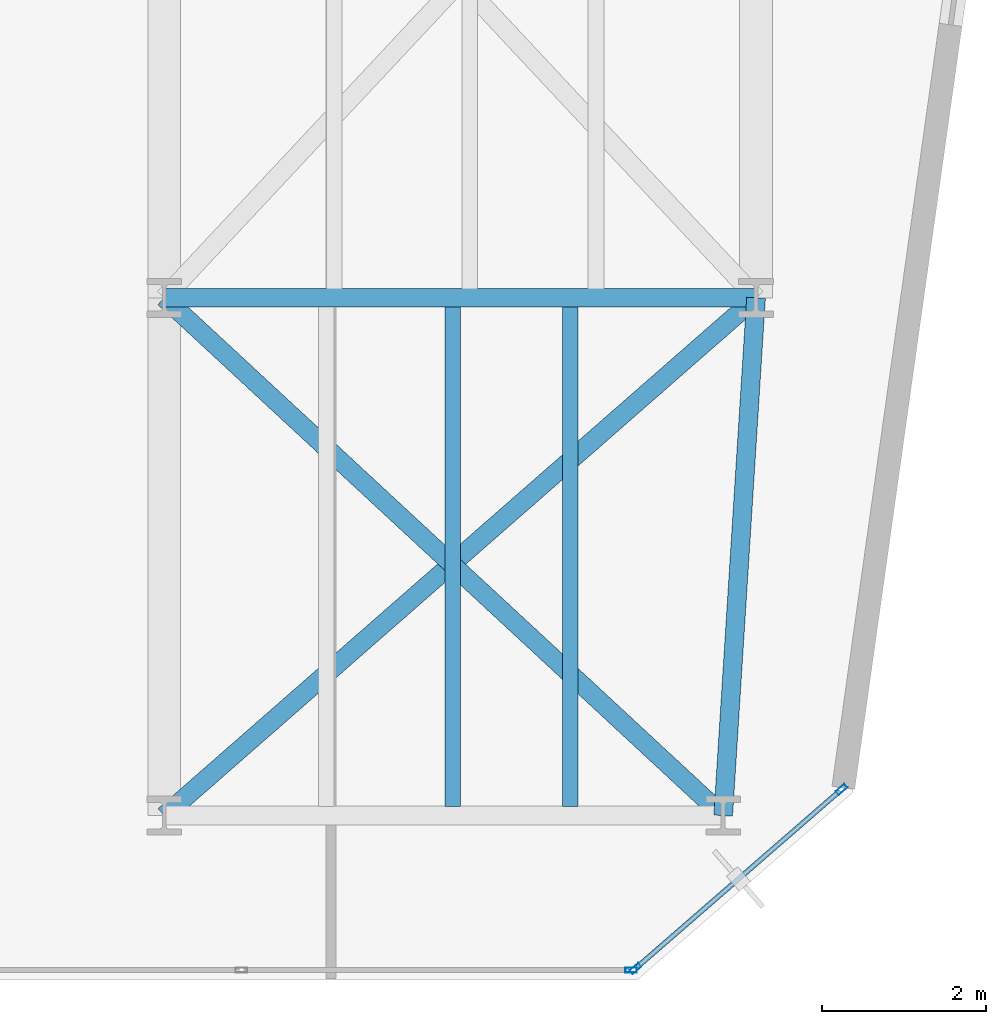
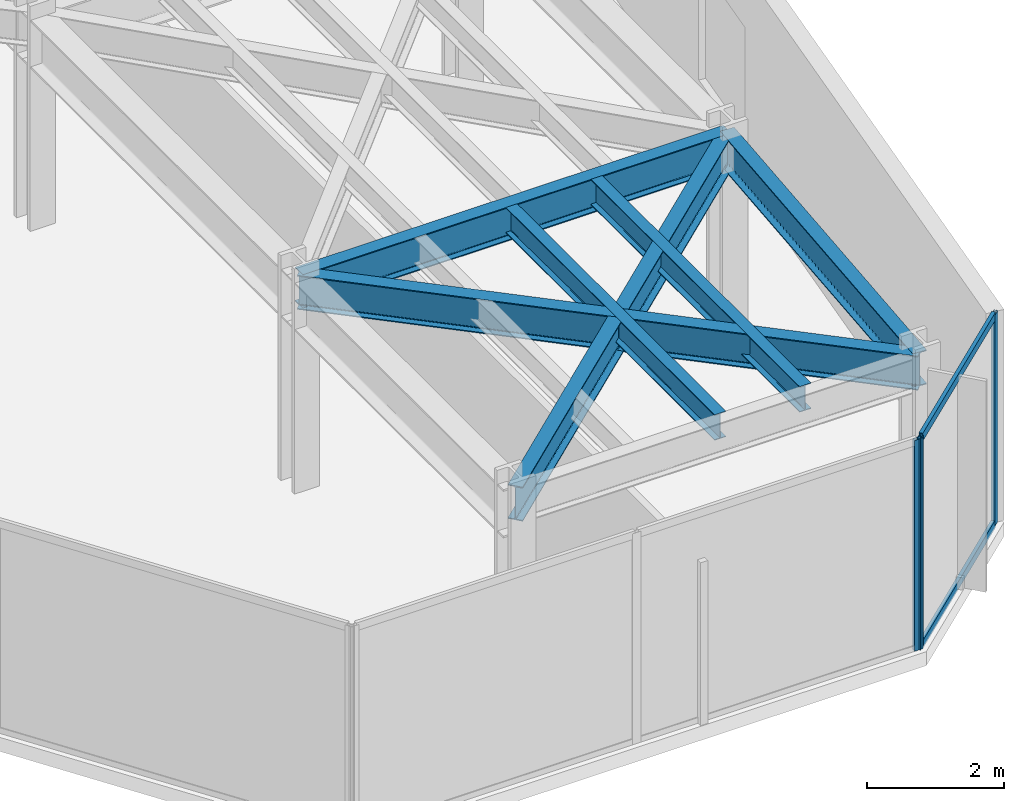
# One storey, part 19 of 26: 6 beams, 5 members, 2 elements without a shape of their own.
"""IFC4 building model written with IfcOpenShell, lengths in metres."""

from ifc_helpers import new_model, si_unit, direction, frame, origin, origin_2d, place, context, subcontext, project, spatial, hollow_rectangle, i_section, extrude, material, layer, layer_set, material_profile, profile_set, type_object, element, aggregate, save


model = new_model("IFC4")

# Units and contexts
model_context = context("Model", 3, precision=1e-05, world=origin(), true_north=direction((0.0, 1.0)))
body_context = subcontext(model_context, "Body", "Model", "MODEL_VIEW")
ifc_project = project(units=[si_unit("LENGTHUNIT", "METRE"), si_unit("AREAUNIT", "SQUARE_METRE"), si_unit("VOLUMEUNIT", "CUBIC_METRE"), si_unit("PLANEANGLEUNIT", "RADIAN"), si_unit("MASSUNIT", "GRAM", prefix="KILO")], contexts=[model_context])

# Site, building, storey
site_placement = place(None, origin())
site = spatial("IfcSite", under=ifc_project, at=site_placement, CompositionType="ELEMENT")
building_placement = place(site_placement, origin())
building = spatial("IfcBuilding", under=site, at=building_placement, Name="Kravanh Interchange Tower", CompositionType="ELEMENT")
storey_placement = place(building_placement, frame((0.0, 0.0, 100.0)))
storey = spatial("IfcBuildingStorey", under=building, at=storey_placement, Name="L23", CompositionType="ELEMENT", Elevation=100.0)

# Curtain wall, members
ifc_material_1 = material(Name="Anodised Bronze Aluminium", Category="aluminium")
ifc_layer = layer(ifc_material_1, 0.179931640625)
ifc_layer_set = layer_set([ifc_layer], Name="Unitised Curtain Wall System CW-Z2 Mid Office")
curtain_wall_type = type_object("IfcCurtainWallType", Name="Unitised Curtain Wall System CW-Z2 Mid Office", PredefinedType="NOTDEFINED", material=ifc_layer_set)
curtain_wall_1_placement = place(storey_placement, origin())
curtain_wall_1 = element("IfcCurtainWall", 1, at=curtain_wall_1_placement, inside=storey, type_object=curtain_wall_type, Name="L23 Unitised Curtain Wall CW-L23-02", PredefinedType="NOTDEFINED")
ifc_material_2 = material(Name="Anodised Bronze Aluminium", Category="aluminium")
ifc_material_profile_1 = material_profile(ifc_material_2, hollow_rectangle(XDim=0.06005859375, YDim=0.139892578125, WallThickness=0.00390625, at=origin_2d()), Name="ALU60X140X4")
ifc_profile_set_1 = profile_set([ifc_material_profile_1], Name="Anodised Bronze Aluminium")
member_type_1 = type_object("IfcMemberType", Name="Curtain Wall Mullion ALU60X140X4 Bronze", PredefinedType="MULLION", material=ifc_profile_set_1)
member_1_placement = place(storey_placement, frame((64.239990234375, 8.51904296875, 0.0), z_axis=(0.0, 0.0, 1.0), x_axis=(0.656047665617, -0.754719458103, 0.0)))
member_1 = element("IfcMember", 2, at=member_1_placement, type_object=member_type_1, Name="CW-Z2 mullion 1", PredefinedType="MULLION", context=body_context, shape_type="SweptSolid", body=[
    extrude(hollow_rectangle(XDim=0.06005859375, YDim=0.139892578125, WallThickness=0.00390625, at=origin_2d()), origin(), (0.0, 0.0, 1.0), 3.75),
])
member_2_placement = place(storey_placement, frame((61.73291015625, 6.339599609375, 0.0), z_axis=(0.0, 0.0, 1.0), x_axis=(0.656047665617, -0.754719458103, 0.0)))
member_2 = element("IfcMember", 3, at=member_2_placement, type_object=member_type_1, Name="CW-Z2 mullion 2", PredefinedType="MULLION", context=body_context, shape_type="SweptSolid", body=[
    extrude(hollow_rectangle(XDim=0.06005859375, YDim=0.139892578125, WallThickness=0.00390625, at=origin_2d()), origin(), (0.0, 0.0, 1.0), 3.75),
])

# Curtain wall, member
curtain_wall_2_placement = place(storey_placement, origin())
curtain_wall_2 = element("IfcCurtainWall", 4, at=curtain_wall_2_placement, inside=storey, type_object=curtain_wall_type, Name="L23 Unitised Curtain Wall CW-L23-03", PredefinedType="NOTDEFINED")
member_3_placement = place(storey_placement, frame((61.68017578125, 6.320068359375, 0.0), z_axis=(0.0, 0.0, 1.0), x_axis=(0.0, -1.0, 0.0)))
member_3 = element("IfcMember", 5, at=member_3_placement, type_object=member_type_1, Name="CW-Z2 mullion 1", PredefinedType="MULLION", context=body_context, shape_type="SweptSolid", body=[
    extrude(hollow_rectangle(XDim=0.06005859375, YDim=0.139892578125, WallThickness=0.00390625, at=origin_2d()), origin(), (0.0, 0.0, 1.0), 3.75),
])
aggregate(curtain_wall_2, [member_3])

# Member
ifc_material_3 = material(Name="Anodised Bronze Aluminium", Category="aluminium")
ifc_material_profile_2 = material_profile(ifc_material_3, hollow_rectangle(XDim=0.06005859375, YDim=0.139892578125, WallThickness=0.00390625, at=origin_2d()), Name="ALU60X140X4")
ifc_profile_set_2 = profile_set([ifc_material_profile_2], Name="Anodised Bronze Aluminium")
member_type_2 = type_object("IfcMemberType", Name="Curtain Wall Transom ALU60X140X4 Bronze", PredefinedType="USERDEFINED", material=ifc_profile_set_2)
member_4_placement = place(storey_placement, frame((64.21728515625, 8.499267578125, 0.030029296875), z_axis=(-0.754742467432, -0.656021194669, 0.0), x_axis=(0.656021194669, -0.754742467432, 0.0)))
member_4 = element("IfcMember", 6, at=member_4_placement, type_object=member_type_2, Name="CW-Z2 transom 1.1", ObjectType="TRANSOM", PredefinedType="USERDEFINED", context=body_context, shape_type="SweptSolid", body=[
    extrude(hollow_rectangle(XDim=0.06005859375, YDim=0.139892578125, WallThickness=0.00390625, at=origin_2d()), origin(), (0.0, 0.0, 1.0), 3.261962890625),
])

member_5_placement = place(storey_placement, frame((64.21728515625, 8.499267578125, 3.719970703125), z_axis=(-0.754742467432, -0.656021194669, 0.0), x_axis=(0.656021194669, -0.754742467432, 0.0)))
member_5 = element("IfcMember", 7, at=member_5_placement, type_object=member_type_2, Name="CW-Z2 transom 1.2", ObjectType="TRANSOM", PredefinedType="USERDEFINED", context=body_context, shape_type="SweptSolid", body=[
    extrude(hollow_rectangle(XDim=0.06005859375, YDim=0.139892578125, WallThickness=0.00390625, at=origin_2d()), origin(), (0.0, 0.0, 1.0), 3.261962890625),
])

aggregate(curtain_wall_1, [member_1, member_2, member_4, member_5])

# Beams
ifc_material_4 = material(Name="Structural Steel S355", Category="steel")
ifc_material_profile_3 = material_profile(ifc_material_4, i_section(OverallWidth=0.18994140625, OverallDepth=0.45703125, WebThickness=0.009033203125, FlangeThickness=0.014404296875, FilletRadius=0.01806640625, at=origin_2d()), Name="W18X50")
ifc_profile_set_3 = profile_set([ifc_material_profile_3], Name="Structural Steel S355")
beam_type_1 = type_object("IfcBeamType", Name="Floor Joist W18X50 Structural Steel S355", PredefinedType="JOIST", material=ifc_profile_set_3)
for number, where, z_axis, x_axis, name in (
    (8, (59.510009765625, 8.30908203125, 3.521484375), (0.0, 1.0, 0.0), (-1.0, 0.0, 0.0), "L23 Secondary Floor Joist 5"),
    (9, (60.93994140625, 8.30908203125, 3.521484375), (0.0, 1.0, 0.0), (-1.0, 0.0, 0.0), "L23 Secondary Floor Joist 6"),
):
    element("IfcBeam", number, at=place(storey_placement, frame(where, z_axis=z_axis, x_axis=x_axis)), inside=storey, type_object=beam_type_1, Name=name, PredefinedType="JOIST", context=body_context, shape_type="SweptSolid", body=[
        extrude(i_section(OverallWidth=0.18994140625, OverallDepth=0.45703125, WebThickness=0.009033203125, FlangeThickness=0.014404296875, FilletRadius=0.01806640625, at=origin_2d()), origin(), (0.0, 0.0, 1.0), 6.08203125),
    ])
ifc_material_5 = material(Name="Structural Steel S355", Category="steel")
ifc_material_profile_4 = material_profile(ifc_material_5, i_section(OverallWidth=0.22802734375, OverallDepth=0.60791015625, WebThickness=0.01123046875, FlangeThickness=0.017333984375, FilletRadius=0.02197265625, at=origin_2d()), Name="W24X76")
ifc_profile_set_4 = profile_set([ifc_material_profile_4], Name="Structural Steel S355")
beam_type_2 = type_object("IfcBeamType", Name="Floor Spandrel W24X76 Structural Steel S355", PredefinedType="SPANDREL", material=ifc_profile_set_4)
beam_1_placement = place(storey_placement, frame((56.0, 8.199951171875, 3.446044921875), z_axis=(0.752571952274, 0.658510027752, 0.0), x_axis=(-0.658510027752, 0.752571952274, 0.0)))
element("IfcBeam", 10, at=beam_1_placement, inside=storey, type_object=beam_type_2, Name="L23 Perimeter Spandrel 97", PredefinedType="SPANDREL", context=body_context, shape_type="SweptSolid", body=[
    extrude(i_section(OverallWidth=0.22802734375, OverallDepth=0.60791015625, WebThickness=0.01123046875, FlangeThickness=0.017333984375, FilletRadius=0.02197265625, at=origin_2d()), origin(), (0.0, 0.0, 1.0), 9.567138671875),
])
beam_2_placement = place(storey_placement, frame((62.800048828125, 8.199951171875, 3.446044921875), z_axis=(0.063348576418, 0.99799146182, 0.0), x_axis=(-0.99799146182, 0.063348576418, 0.0)))
element("IfcBeam", 11, at=beam_2_placement, inside=storey, type_object=beam_type_2, Name="L23 Perimeter Spandrel 98", PredefinedType="SPANDREL", context=body_context, shape_type="SweptSolid", body=[
    extrude(i_section(OverallWidth=0.22802734375, OverallDepth=0.60791015625, WebThickness=0.01123046875, FlangeThickness=0.017333984375, FilletRadius=0.02197265625, at=origin_2d()), origin(), (0.0, 0.0, 1.0), 6.312744140625),
])
beam_3_placement = place(storey_placement, frame((62.800048828125, 8.199951171875, 3.446044921875), z_axis=(-0.733561267923, 0.679623326706, 0.0), x_axis=(-0.679623326706, -0.733561267923, 0.0)))
element("IfcBeam", 12, at=beam_3_placement, inside=storey, type_object=beam_type_2, Name="L23 Perimeter Spandrel 99", PredefinedType="SPANDREL", context=body_context, shape_type="SweptSolid", body=[
    extrude(i_section(OverallWidth=0.22802734375, OverallDepth=0.60791015625, WebThickness=0.01123046875, FlangeThickness=0.017333984375, FilletRadius=0.02197265625, at=origin_2d()), origin(), (0.0, 0.0, 1.0), 9.27001953125),
])
beam_4_placement = place(storey_placement, frame((56.0, 14.5, 3.446044921875), z_axis=(1.0, 0.0, 0.0), x_axis=(0.0, 1.0, 0.0)))
element("IfcBeam", 13, at=beam_4_placement, inside=storey, type_object=beam_type_2, Name="L23 Perimeter Spandrel 103", PredefinedType="SPANDREL", context=body_context, shape_type="SweptSolid", body=[
    extrude(i_section(OverallWidth=0.22802734375, OverallDepth=0.60791015625, WebThickness=0.01123046875, FlangeThickness=0.017333984375, FilletRadius=0.02197265625, at=origin_2d()), origin(), (0.0, 0.0, 1.0), 7.199951171875),
])

save(model, "model.ifc")
